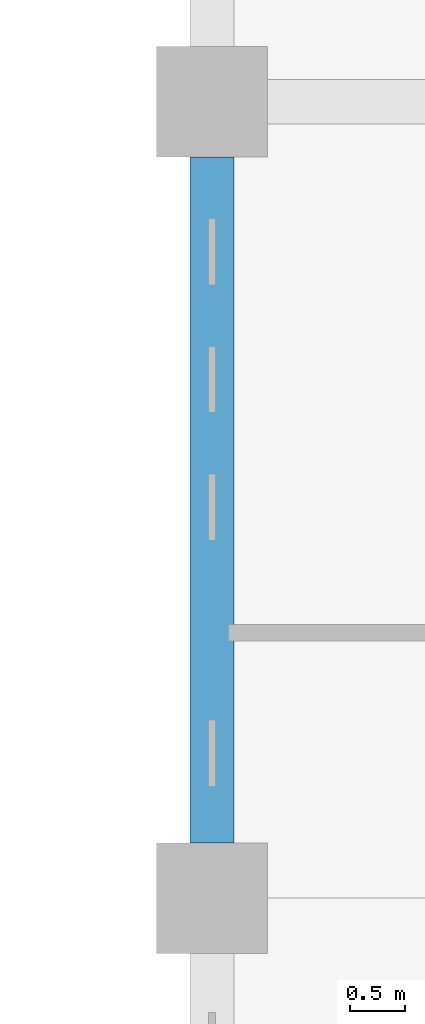
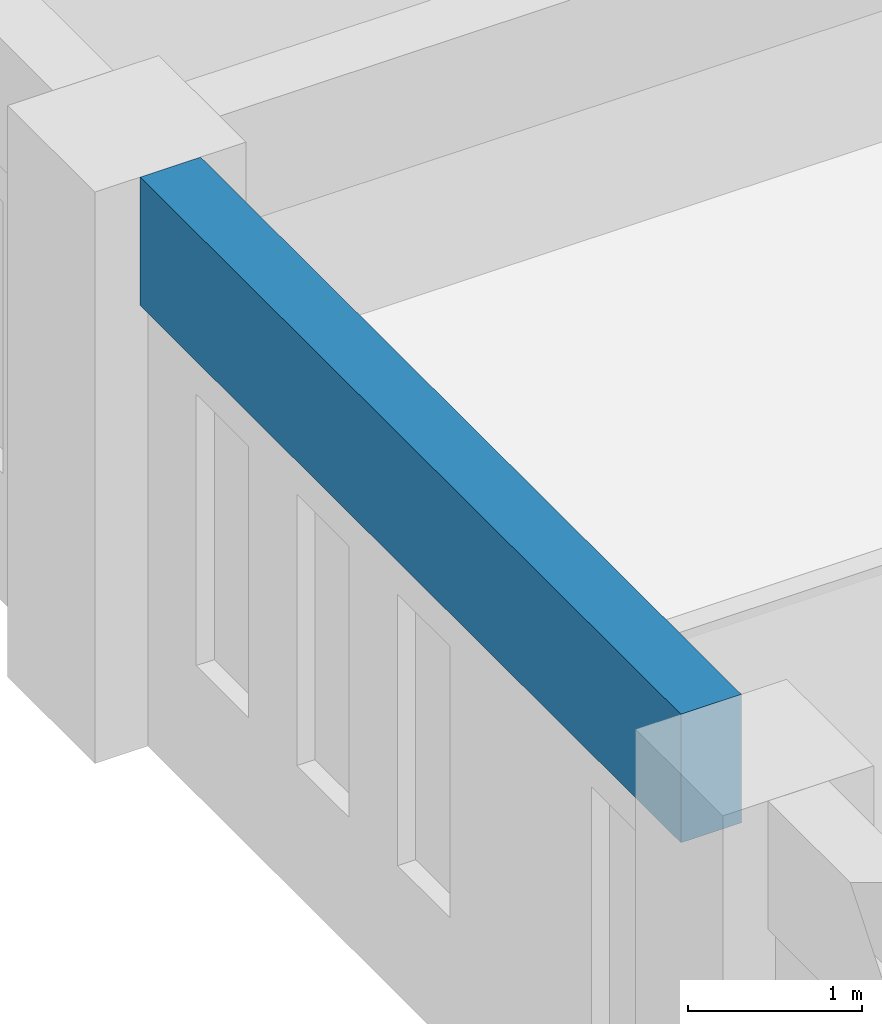
# One storey, part 30 of 92: 1 beam.
"""IFC4 building model written with IfcOpenShell, lengths in metres."""

from ifc_helpers import new_model, si_unit, direction, frame, origin, origin_2d, place, context, subcontext, project, spatial, rectangle, extrude, material, material_profile, profile_set, type_object, element, save


model = new_model("IFC4")

# Units and contexts
model_context = context("Model", 3, precision=1e-05, world=origin(), true_north=direction((0.0, 1.0)))
body_context = subcontext(model_context, "Body", "Model", "MODEL_VIEW")
ifc_project = project(units=[si_unit("LENGTHUNIT", "METRE"), si_unit("AREAUNIT", "SQUARE_METRE"), si_unit("VOLUMEUNIT", "CUBIC_METRE"), si_unit("PLANEANGLEUNIT", "RADIAN"), si_unit("MASSUNIT", "GRAM", prefix="KILO")], contexts=[model_context])

# Site, building, storey
site_placement = place(None, origin())
site = spatial("IfcSite", under=ifc_project, at=site_placement, CompositionType="ELEMENT")
building_placement = place(site_placement, origin())
building = spatial("IfcBuilding", under=site, at=building_placement, Name="Laocheng Heights Fire and Rescue Headquarters", CompositionType="ELEMENT")
storey_placement = place(building_placement, frame((0.0, 0.0, 12.60009765625)))
storey = spatial("IfcBuildingStorey", under=building, at=storey_placement, Name="L03", CompositionType="ELEMENT", Elevation=12.60009765625)

# Beam
ifc_material = material(Name="Concrete C40", Category="concrete")
ifc_material_profile = material_profile(ifc_material, rectangle(XDim=0.39990234375, YDim=0.89990234375, at=origin_2d()), Name="RC BEAM 400x900 HQ")
ifc_profile_set = profile_set([ifc_material_profile], Name="Concrete C40")
beam_type = type_object("IfcBeamType", Name="RC BEAM 400x900 HQ", PredefinedType="BEAM", material=ifc_profile_set)
beam_placement = place(storey_placement, frame((36.0, 58.10009765625, 3.5498046875), z_axis=(0.0, 1.0, 0.0), x_axis=(-1.0, 0.0, 0.0)))
element("IfcBeam", 1, at=beam_placement, inside=storey, type_object=beam_type, Name="HQ beam L03", PredefinedType="BEAM", context=body_context, shape_type="SweptSolid", body=[
    extrude(rectangle(XDim=0.39990234375, YDim=0.89990234375, at=origin_2d()), origin(), (0.0, 0.0, 1.0), 6.199951171875),
])

save(model, "model.ifc")
